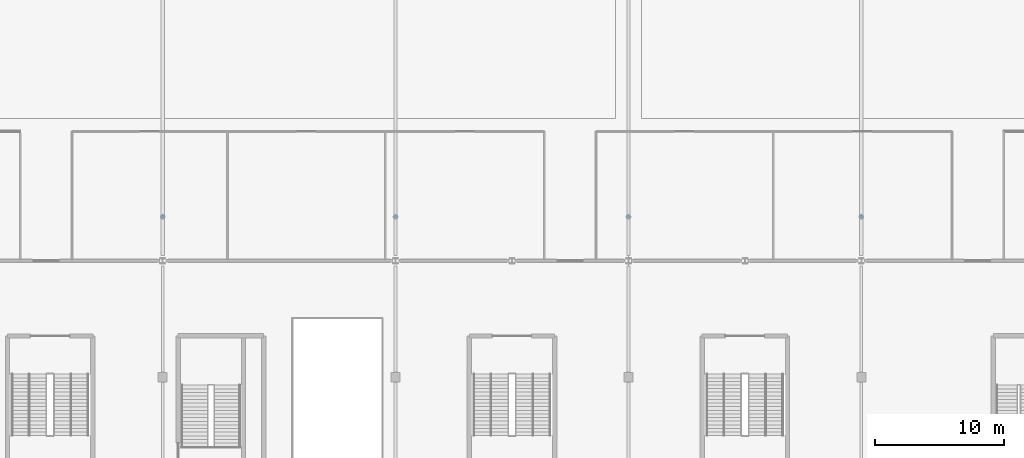
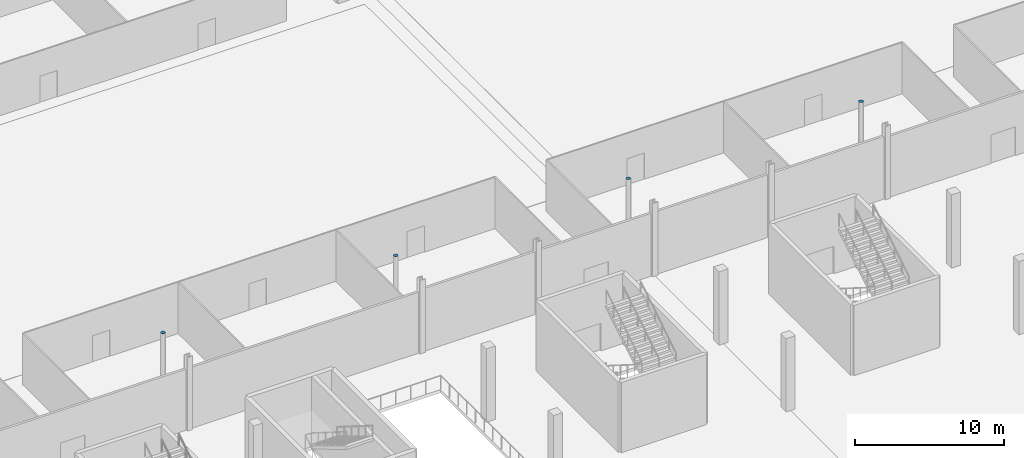
# One storey, part 46 of 84: 4 discrete accessories.
"""IFC4 building model written with IfcOpenShell, lengths in metres."""

from ifc_helpers import new_model, si_unit, direction, frame, origin, place, context, subcontext, project, spatial, polyline, outline, extrude, material, layer, layer_set, type_object, element, save


model = new_model("IFC4")

# Units and contexts
model_context = context("Model", 3, precision=1e-05, world=origin(), true_north=direction((0.0, 1.0)))
body_context = subcontext(model_context, "Body", "Model", "MODEL_VIEW")
ifc_project = project(units=[si_unit("LENGTHUNIT", "METRE"), si_unit("AREAUNIT", "SQUARE_METRE"), si_unit("VOLUMEUNIT", "CUBIC_METRE"), si_unit("PLANEANGLEUNIT", "RADIAN"), si_unit("MASSUNIT", "GRAM", prefix="KILO")], contexts=[model_context])

# Site, building, storey
site_placement = place(None, origin())
site = spatial("IfcSite", under=ifc_project, at=site_placement, CompositionType="ELEMENT")
building_placement = place(site_placement, origin())
building = spatial("IfcBuilding", under=site, at=building_placement, Name="Kisiwana Market Hall", CompositionType="ELEMENT")
storey_placement = place(building_placement, origin())
storey = spatial("IfcBuildingStorey", under=building, at=storey_placement, Name="L00", CompositionType="ELEMENT", Elevation=0.0)

# Discrete accessories
ifc_material = material(Name="Steel S355", Category="steel")
ifc_layer = layer(ifc_material, 0.011962890625)
ifc_layer_set = layer_set([ifc_layer], Name="ACC-ENDCAP-STL")
discrete_accessory_type = type_object("IfcDiscreteAccessoryType", Name="ACC-ENDCAP-STL", PredefinedType="USERDEFINED", material=ifc_layer_set)
discrete_accessory_1_placement = place(storey_placement, frame((0.0, 0.0, 5.800048828125)))
element("IfcDiscreteAccessory", 1, at=discrete_accessory_1_placement, inside=storey, type_object=discrete_accessory_type, Name="End cap plate EC-0115", ObjectType="End cap plate", PredefinedType="USERDEFINED", context=body_context, shape_type="SweptSolid", body=[
    extrude(outline(polyline([(63.161865234375, 39.39990234375), (63.156494140625, 39.44189453125), (63.140380859375, 39.48095703125), (63.114501953125, 39.514404296875), (63.0810546875, 39.540283203125), (63.0419921875, 39.556396484375), (63.0, 39.56201171875), (62.9580078125, 39.556396484375), (62.9189453125, 39.540283203125), (62.885498046875, 39.514404296875), (62.859619140625, 39.48095703125), (62.843505859375, 39.44189453125), (62.838134765625, 39.39990234375), (62.843505859375, 39.358154296875), (62.859619140625, 39.319091796875), (62.885498046875, 39.285400390625), (62.9189453125, 39.259765625), (62.9580078125, 39.24365234375), (63.0, 39.238037109375), (63.0419921875, 39.24365234375), (63.0810546875, 39.259765625), (63.114501953125, 39.285400390625), (63.140380859375, 39.319091796875), (63.156494140625, 39.358154296875), (63.161865234375, 39.39990234375)])), origin(), (0.0, 0.0, 1.0), 0.011962890625),
])
discrete_accessory_2_placement = place(storey_placement, frame((0.0, 0.0, 5.800048828125)))
element("IfcDiscreteAccessory", 2, at=discrete_accessory_2_placement, inside=storey, type_object=discrete_accessory_type, Name="End cap plate EC-0117", ObjectType="End cap plate", PredefinedType="USERDEFINED", context=body_context, shape_type="SweptSolid", body=[
    extrude(outline(polyline([(81.162109375, 39.39990234375), (81.156494140625, 39.44189453125), (81.140380859375, 39.48095703125), (81.114501953125, 39.514404296875), (81.0810546875, 39.540283203125), (81.0419921875, 39.556396484375), (81.0, 39.56201171875), (80.9580078125, 39.556396484375), (80.9189453125, 39.540283203125), (80.885498046875, 39.514404296875), (80.859619140625, 39.48095703125), (80.843505859375, 39.44189453125), (80.837890625, 39.39990234375), (80.843505859375, 39.358154296875), (80.859619140625, 39.319091796875), (80.885498046875, 39.285400390625), (80.9189453125, 39.259765625), (80.9580078125, 39.24365234375), (81.0, 39.238037109375), (81.0419921875, 39.24365234375), (81.0810546875, 39.259765625), (81.114501953125, 39.285400390625), (81.140380859375, 39.319091796875), (81.156494140625, 39.358154296875), (81.162109375, 39.39990234375)])), origin(), (0.0, 0.0, 1.0), 0.011962890625),
])
discrete_accessory_3_placement = place(storey_placement, frame((0.0, 0.0, 5.800048828125)))
element("IfcDiscreteAccessory", 3, at=discrete_accessory_3_placement, inside=storey, type_object=discrete_accessory_type, Name="End cap plate EC-0119", ObjectType="End cap plate", PredefinedType="USERDEFINED", context=body_context, shape_type="SweptSolid", body=[
    extrude(outline(polyline([(99.162109375, 39.39990234375), (99.156494140625, 39.44189453125), (99.140380859375, 39.48095703125), (99.114501953125, 39.514404296875), (99.0810546875, 39.540283203125), (99.0419921875, 39.556396484375), (99.0, 39.56201171875), (98.9580078125, 39.556396484375), (98.9189453125, 39.540283203125), (98.885498046875, 39.514404296875), (98.859619140625, 39.48095703125), (98.843505859375, 39.44189453125), (98.837890625, 39.39990234375), (98.843505859375, 39.358154296875), (98.859619140625, 39.319091796875), (98.885498046875, 39.285400390625), (98.9189453125, 39.259765625), (98.9580078125, 39.24365234375), (99.0, 39.238037109375), (99.0419921875, 39.24365234375), (99.0810546875, 39.259765625), (99.114501953125, 39.285400390625), (99.140380859375, 39.319091796875), (99.156494140625, 39.358154296875), (99.162109375, 39.39990234375)])), origin(), (0.0, 0.0, 1.0), 0.011962890625),
])
discrete_accessory_4_placement = place(storey_placement, frame((0.0, 0.0, 5.800048828125)))
element("IfcDiscreteAccessory", 4, at=discrete_accessory_4_placement, inside=storey, type_object=discrete_accessory_type, Name="End cap plate EC-0121", ObjectType="End cap plate", PredefinedType="USERDEFINED", context=body_context, shape_type="SweptSolid", body=[
    extrude(outline(polyline([(117.162109375, 39.39990234375), (117.156494140625, 39.44189453125), (117.140380859375, 39.48095703125), (117.114501953125, 39.514404296875), (117.0810546875, 39.540283203125), (117.0419921875, 39.556396484375), (117.0, 39.56201171875), (116.9580078125, 39.556396484375), (116.9189453125, 39.540283203125), (116.885498046875, 39.514404296875), (116.859619140625, 39.48095703125), (116.843505859375, 39.44189453125), (116.837890625, 39.39990234375), (116.843505859375, 39.358154296875), (116.859619140625, 39.319091796875), (116.885498046875, 39.285400390625), (116.9189453125, 39.259765625), (116.9580078125, 39.24365234375), (117.0, 39.238037109375), (117.0419921875, 39.24365234375), (117.0810546875, 39.259765625), (117.114501953125, 39.285400390625), (117.140380859375, 39.319091796875), (117.156494140625, 39.358154296875), (117.162109375, 39.39990234375)])), origin(), (0.0, 0.0, 1.0), 0.011962890625),
])

save(model, "model.ifc")
